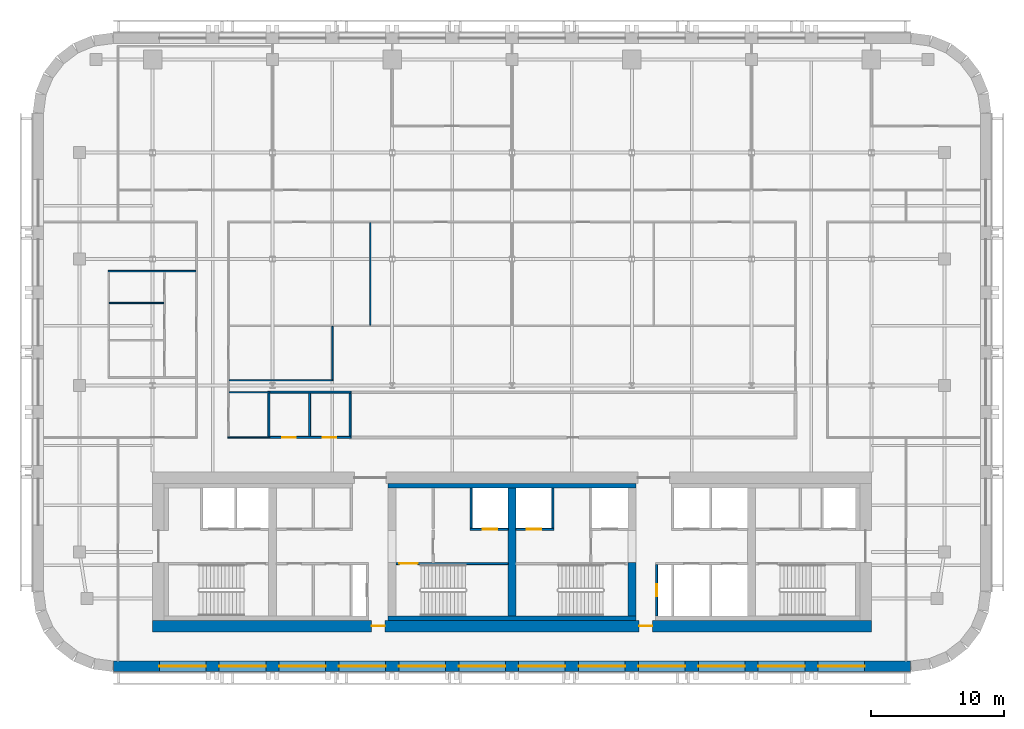
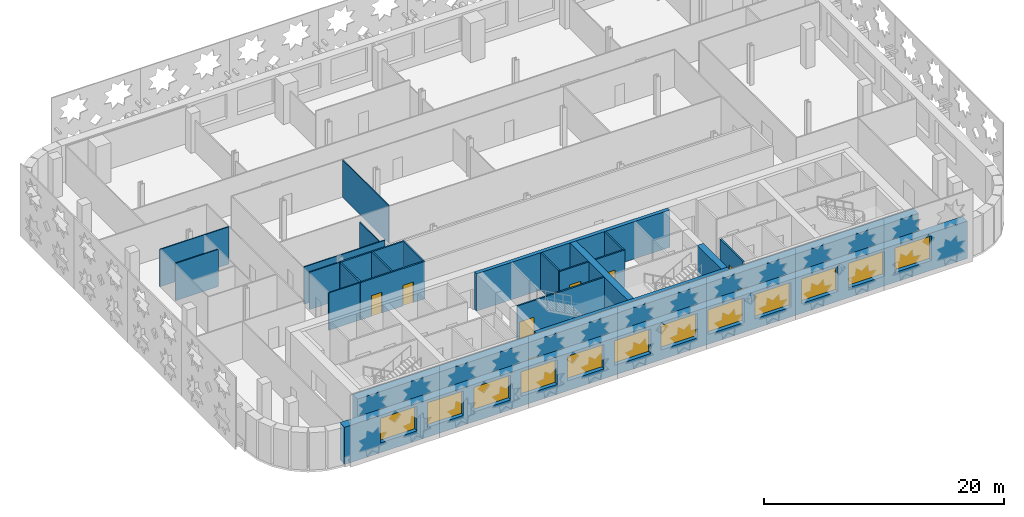
# One storey, part 4 of 12: 24 walls, 12 windows, 8 doors, 20 openings.
"""IFC4 building model written with IfcOpenShell, lengths in metres."""

import ifcopenshell
import ifcopenshell.guid

model = None  # the IFC model being written
_history = None  # IfcOwnerHistory: only IFC2X3 demands one
_inside = {}  # id of a spatial element -> (the spatial element, [elements in it])
_under = {}  # id of a project, library or spatial element -> (it, [spatial elements below it])
_declared = {}  # id of a project -> (the project, [libraries it declares])
_typed = {}  # id of a type object -> (the type object, [elements of that type])
_made_of = {}  # id of a material, layer set ... -> (it, [elements and type objects made of it])


def new_model(schema):
    """Start an empty IFC model of exactly this schema.

    Asked for "IFC4X3", IfcOpenShell would pick the latest addendum, in which some entities
    have other attributes; the version numbers below select the first issue.
    IFC2X3 requires an IfcOwnerHistory on every rooted entity: one is made here for all.
    """
    global model, _history
    if schema == "IFC4X3":
        model = ifcopenshell.file(schema_version=(4, 3, 0, 0))
    else:
        model = ifcopenshell.file(schema=schema)
    _inside.clear()
    _under.clear()
    _declared.clear()
    _typed.clear()
    _made_of.clear()
    _history = None
    if model.schema == "IFC2X3":
        org = make("IfcOrganization", Name="unknown")
        user = make(
            "IfcPersonAndOrganization",
            ThePerson=make("IfcPerson", FamilyName="unknown"),
            TheOrganization=org,
        )
        app = make(
            "IfcApplication",
            ApplicationDeveloper=org,
            Version="unknown",
            ApplicationFullName="unknown",
            ApplicationIdentifier="unknown",
        )
        _history = make(
            "IfcOwnerHistory",
            OwningUser=user,
            OwningApplication=app,
            ChangeAction="ADDED",
            CreationDate=0,
        )
    return model


def make(cls, **values):
    """One entity of the class cls with the attributes given. An attribute that is None is left unset."""
    return model.create_entity(
        cls, **{name: value for name, value in values.items() if value is not None}
    )


def rooted(cls, **values):
    """An entity with a GlobalId (a new one), such as an element, a storey or a relation."""
    return make(cls, GlobalId=ifcopenshell.guid.new(), OwnerHistory=_history, **values)


def si_unit(unit_type, name, prefix=None):
    """IfcSIUnit, for example si_unit("LENGTHUNIT", "METRE", prefix="MILLI")."""
    return make("IfcSIUnit", UnitType=unit_type, Prefix=prefix, Name=name)


def assignment(units):
    """IfcUnitAssignment: the units of a project."""
    return None if units is None else make("IfcUnitAssignment", Units=units)


def point(xyz):
    """IfcCartesianPoint."""
    return None if xyz is None else make("IfcCartesianPoint", Coordinates=xyz)


def direction(xyz):
    """IfcDirection."""
    return None if xyz is None else make("IfcDirection", DirectionRatios=xyz)


def frame(location, z_axis=None, x_axis=None):
    """IfcAxis2Placement3D, a coordinate frame: its origin and axes. An axis left out is left unset."""
    return make(
        "IfcAxis2Placement3D",
        Location=point(location),
        Axis=direction(z_axis),
        RefDirection=direction(x_axis),
    )


def frame_2d(location, x_axis=None):
    """IfcAxis2Placement2D, a coordinate frame in the plane: its origin and x axis."""
    return make(
        "IfcAxis2Placement2D", Location=point(location), RefDirection=direction(x_axis)
    )


def origin():
    """The frame at (0, 0, 0) with its axes left unset."""
    return frame((0.0, 0.0, 0.0))


def place(relative_to, where):
    """IfcLocalPlacement: puts the frame where relative to a parent placement (None: the world)."""
    return make(
        "IfcLocalPlacement", PlacementRelTo=relative_to, RelativePlacement=where
    )


def context(
    kind, dimensions, precision=None, world=None, true_north=None, identifier=None
):
    """IfcGeometricRepresentationContext, for example the 3D "Model" context."""
    return make(
        "IfcGeometricRepresentationContext",
        ContextIdentifier=identifier,
        ContextType=kind,
        CoordinateSpaceDimension=dimensions,
        Precision=precision,
        WorldCoordinateSystem=world,
        TrueNorth=true_north,
    )


def subcontext(parent, identifier, kind, view, scale=None):
    """IfcGeometricRepresentationSubContext, for example "Body" below "Model"."""
    return make(
        "IfcGeometricRepresentationSubContext",
        ContextIdentifier=identifier,
        ContextType=kind,
        ParentContext=parent,
        TargetScale=scale,
        TargetView=view,
    )


def project(units=None, contexts=None):
    """IfcProject with its units and contexts."""
    return rooted(
        "IfcProject",
        Name="project",
        RepresentationContexts=contexts,
        UnitsInContext=assignment(units),
    )


def spatial(cls, under=None, at=None, **own):
    """A site, building, storey or space (cls), placed at a placement, below another one or the project."""
    s = rooted(cls, ObjectPlacement=at, **own)
    if under is not None:
        _under.setdefault(under.id(), (under, []))[1].append(s)
    return s


def profile(cls, at=None, kind="AREA", **sizes):
    """A parametric profile (cls). Its sizes go by their IFC names, for example OverallWidth=200.0."""
    return make(cls, ProfileType=kind, Position=at, **sizes)


def rectangle(**sizes):
    """IfcRectangleProfileDef."""
    return profile("IfcRectangleProfileDef", **sizes)


def extrude(swept, where, along, depth):
    """IfcExtrudedAreaSolid: the profile swept, set in the frame where, extruded along a direction by depth."""
    return make(
        "IfcExtrudedAreaSolid",
        SweptArea=swept,
        Position=where,
        ExtrudedDirection=direction(along),
        Depth=depth,
    )


def shape(context_of_items, identifier, shape_type, items):
    """IfcShapeRepresentation: the items that make up one representation, for example the "Body"."""
    return make(
        "IfcShapeRepresentation",
        ContextOfItems=context_of_items,
        RepresentationIdentifier=identifier,
        RepresentationType=shape_type,
        Items=items,
    )


def material(Name=None, Category=None):
    """IfcMaterial."""
    return make("IfcMaterial", Name=Name, Category=Category)


def layer(
    of_material, thickness, ventilated=None, Name=None, Category=None, Priority=None
):
    """IfcMaterialLayer: one layer of a wall or slab, of a material (None: an air gap)."""
    return make(
        "IfcMaterialLayer",
        Material=of_material,
        LayerThickness=thickness,
        IsVentilated=ventilated,
        Name=Name,
        Category=Category,
        Priority=Priority,
    )


def layer_set(layers, Name=None):
    """IfcMaterialLayerSet."""
    return make("IfcMaterialLayerSet", MaterialLayers=layers, LayerSetName=Name)


def made_of(thing, what):
    """Note that an element or type object is made of a material, layer set ...; save() writes the relation."""
    if what is not None:
        _made_of.setdefault(what.id(), (what, []))[1].append(thing)
    return thing


def type_object(cls, material=None, **own):
    """A type object (cls), such as IfcWallType, which elements share."""
    return made_of(rooted(cls, **own), material)


def element(
    cls,
    number,
    at=None,
    inside=None,
    cuts=None,
    type_object=None,
    material=None,
    context=None,
    identifier="Body",
    shape_type=None,
    held_by="IfcProductDefinitionShape",
    body=None,
    shapes=None,
    **own,
):
    """One element of the class cls, such as IfcWall. Its Tag is "e" and its number.

    at: its placement. inside: the storey or other place that contains it. cuts: it is an
    opening in that element (IfcRelVoidsElement). A single representation is given by context,
    identifier, shape_type and body (its items); several are given by shapes. held_by: the class
    of the entity that holds the representations. save() writes the other relations.
    """
    e = rooted(cls, Tag="e%d" % number, ObjectPlacement=at, **own)
    if body is not None:
        shapes = [shape(context, identifier, shape_type, body)]
    if shapes is not None:
        e.Representation = make(held_by, Representations=shapes)
    if inside is not None:
        _inside.setdefault(inside.id(), (inside, []))[1].append(e)
    if cuts is not None:
        rooted(
            "IfcRelVoidsElement", RelatingBuildingElement=cuts, RelatedOpeningElement=e
        )
    if type_object is not None:
        _typed.setdefault(type_object.id(), (type_object, []))[1].append(e)
    return made_of(e, material)


def fill(opening, filler):
    """IfcRelFillsElement: the door or window that sits in an opening."""
    return rooted(
        "IfcRelFillsElement",
        RelatingOpeningElement=opening,
        RelatedBuildingElement=filler,
    )


def aggregate(whole, parts):
    """IfcRelAggregates: a whole, such as a stair, and the parts it consists of."""
    return rooted("IfcRelAggregates", RelatingObject=whole, RelatedObjects=parts)


def save(model, path):
    """Write the relations noted so far, then the file.

    IfcRelAggregates (storeys below a building ...), IfcRelContainedInSpatialStructure (elements
    in a storey), IfcRelDefinesByType, IfcRelAssociatesMaterial and IfcRelDeclares: one each for
    every whole, place, type object, material and project.
    """
    for whole, parts in _under.values():
        aggregate(whole, parts)
    for where, things in _inside.values():
        rooted(
            "IfcRelContainedInSpatialStructure",
            RelatedElements=things,
            RelatingStructure=where,
        )
    for kind, things in _typed.values():
        rooted("IfcRelDefinesByType", RelatedObjects=things, RelatingType=kind)
    for what, things in _made_of.values():
        rooted("IfcRelAssociatesMaterial", RelatedObjects=things, RelatingMaterial=what)
    for by, libraries in _declared.values():
        rooted("IfcRelDeclares", RelatingContext=by, RelatedDefinitions=libraries)
    model.write(path)


model = new_model("IFC4")

# Units and contexts
model_context = context("Model", 3, precision=1e-05, world=origin(), true_north=direction((0.0, 1.0)))
body_context = subcontext(model_context, "Body", "Model", "MODEL_VIEW")
ifc_project = project(units=[si_unit("LENGTHUNIT", "METRE"), si_unit("AREAUNIT", "SQUARE_METRE"), si_unit("VOLUMEUNIT", "CUBIC_METRE"), si_unit("PLANEANGLEUNIT", "RADIAN"), si_unit("MASSUNIT", "GRAM", prefix="KILO")], contexts=[model_context])

# Site, building, storey
site_placement = place(None, origin())
site = spatial("IfcSite", under=ifc_project, at=site_placement, CompositionType="ELEMENT")
building_placement = place(site_placement, origin())
building = spatial("IfcBuilding", under=site, at=building_placement, Name="Zellij Exchange Tower", CompositionType="ELEMENT")
storey_placement = place(building_placement, frame((0.0, 0.0, 180.5)))
storey = spatial("IfcBuildingStorey", under=building, at=storey_placement, Name="L41", CompositionType="ELEMENT", Elevation=180.5)

# Walls
ifc_material_1 = material(Name="Concrete C60/75", Category="concrete")
ifc_layer_1 = layer(ifc_material_1, 0.60009765625)
ifc_layer_set_1 = layer_set([ifc_layer_1], Name="Concrete C60/75")
wall_type_1 = type_object("IfcWallType", Name="CORE-CW 600 C60/75", PredefinedType="SHEAR", material=ifc_layer_set_1)
wall_1_placement = place(storey_placement, frame((0.0, -12.800048828125, 0.0), z_axis=(0.0, 0.0, 1.0), x_axis=(0.0, 1.0, 0.0)))
element("IfcWall", 1, at=wall_1_placement, inside=storey, type_object=wall_type_1, Name="Core cross wall x 0 L41", PredefinedType="SHEAR", context=body_context, shape_type="SweptSolid", body=[
    extrude(rectangle(XDim=9.60009765625, YDim=0.60009765625, at=frame_2d((4.800048828125, 0.0))), origin(), (0.0, 0.0, 1.0), 3.800048828125),
])
wall_2_placement = place(storey_placement, frame((9.0, -12.800048828125, 0.0), z_axis=(0.0, 0.0, 1.0), x_axis=(0.0, 1.0, 0.0)))
element("IfcWall", 2, at=wall_2_placement, inside=storey, type_object=wall_type_1, Name="Core cross wall pier x 9 a L41", PredefinedType="SHEAR", context=body_context, shape_type="SweptSolid", body=[
    extrude(rectangle(XDim=4.0, YDim=0.60009765625, at=frame_2d((2.0, 0.0))), origin(), (0.0, 0.0, 1.0), 3.800048828125),
])
ifc_material_2 = material(Name="Concrete C30/37", Category="concrete")
ifc_layer_2 = layer(ifc_material_2, 0.35009765625)
ifc_layer_set_2 = layer_set([ifc_layer_2], Name="Concrete C30/37")
wall_type_2 = type_object("IfcWallType", Name="CORE-LW 350 C30/37", PredefinedType="SHEAR", material=ifc_layer_set_2)
for number, where, z_axis, x_axis, name in (
    (3, (-9.300048828125, -3.02490234375, 0.0), (0.0, 0.0, 1.0), (1.0, 0.0, 0.0), "Core wall lining front.1 L41"),
    (4, (-9.300048828125, -12.97509765625, 0.0), (0.0, 0.0, 1.0), (1.0, 0.0, 0.0), "Core wall lining rear.1 L41"),
):
    element("IfcWall", number, at=place(storey_placement, frame(where, z_axis=z_axis, x_axis=x_axis)), inside=storey, type_object=wall_type_2, Name=name, PredefinedType="SHEAR", context=body_context, shape_type="SweptSolid", body=[
        extrude(rectangle(XDim=18.60009765625, YDim=0.35009765625, at=frame_2d((9.300048828125, 0.0))), origin(), (0.0, 0.0, 1.0), 3.800048828125),
    ])

# Wall, opening, door
ifc_material_3 = material(Name="Gypsum board partition")
ifc_layer_3 = layer(ifc_material_3, 0.14990234375)
ifc_layer_set_3 = layer_set([ifc_layer_3], Name="Gypsum board partition")
wall_type_3 = type_object("IfcWallType", Name="CORE-PW 150 Lift lobby wall", PredefinedType="PARTITIONING", material=ifc_layer_set_3)
wall_3_placement = place(storey_placement, frame((10.875, -12.800048828125, 0.0), z_axis=(0.0, 0.0, 1.0), x_axis=(0.0, 1.0, 0.0)))
wall_3 = element("IfcWall", 5, at=wall_3_placement, inside=storey, type_object=wall_type_3, Name="Lift lobby wall L41", PredefinedType="PARTITIONING", context=body_context, shape_type="SweptSolid", body=[
    extrude(rectangle(XDim=3.85009765625, YDim=0.14990234375, at=frame_2d((1.925048828125, 0.0))), origin(), (0.0, 0.0, 1.0), 3.800048828125),
])
opening_1_placement = place(wall_3_placement, frame((1.47509765625, 0.0, 0.0)))
opening_1 = element("IfcOpeningElement", 6, at=opening_1_placement, cuts=wall_3, Name="Opening CA-22.21", PredefinedType="OPENING", context=body_context, shape_type="SweptSolid", body=[
    extrude(rectangle(XDim=0.89990234375, YDim=2.10009765625, at=frame_2d((0.449951171875, 1.050048828125))), frame((0.0, 0.0869140625, 0.0), z_axis=(0.0, -1.0, 0.0), x_axis=(1.0, 0.0, 0.0)), (0.0, 0.0, 1.0), 0.173828125),
])
ifc_material_4 = material(Name="Hollow metal fire door")
door_type_1 = type_object("IfcDoorType", Name="CORE-D RD Riser door 900x2100 1.5 HR", OperationType="NOTDEFINED", PredefinedType="DOOR", material=ifc_material_4)
door_1_placement = place(opening_1_placement, origin())
door_1 = element("IfcDoor", 7, at=door_1_placement, inside=storey, type_object=door_type_1, Name="Riser door CA-22.21", OperationType="SINGLE_SWING_LEFT", OverallHeight=2.10009765625, OverallWidth=0.89990234375, PredefinedType="DOOR", context=body_context, shape_type="SweptSolid", body=[
    extrude(rectangle(XDim=0.89990234375, YDim=2.10009765625, at=frame_2d((0.449951171875, 1.050048828125))), frame((0.0, 0.02490234375, 0.0), z_axis=(0.0, -1.0, 0.0), x_axis=(1.0, 0.0, 0.0)), (0.0, 0.0, 1.0), 0.050048828125),
])
fill(opening_1, door_1)

# Walls
ifc_material_5 = material(Name="Gypsum shaft wall system")
ifc_layer_4 = layer(ifc_material_5, 0.14990234375)
ifc_layer_set_4 = layer_set([ifc_layer_4], Name="Gypsum shaft wall system")
wall_type_4 = type_object("IfcWallType", Name="CORE-PW 150 Lift shaft wall", PredefinedType="PARTITIONING", material=ifc_layer_set_4)
for number, where, z_axis, x_axis, name in (
    (8, (-3.074951171875, -6.22509765625, 0.0), (0.0, 0.0, 1.0), (0.0, 1.0, 0.0), "Lift shaft wall L41"),
    (9, (3.074951171875, -6.22509765625, 0.0), (0.0, 0.0, 1.0), (0.0, 1.0, 0.0), "Lift shaft wall L41"),
):
    element("IfcWall", number, at=place(storey_placement, frame(where, z_axis=z_axis, x_axis=x_axis)), inside=storey, type_object=wall_type_4, Name=name, PredefinedType="PARTITIONING", context=body_context, shape_type="SweptSolid", body=[
        extrude(rectangle(XDim=3.025146484375, YDim=0.14990234375, at=frame_2d((1.5126953125, 0.0))), origin(), (0.0, 0.0, 1.0), 3.800048828125),
    ])

# Wall, opening, door
wall_4_placement = place(storey_placement, frame((-3.14990234375, -6.300048828125, 0.0), z_axis=(0.0, 0.0, 1.0), x_axis=(1.0, 0.0, 0.0)))
wall_4 = element("IfcWall", 10, at=wall_4_placement, inside=storey, type_object=wall_type_4, Name="Lift shaft wall L41", PredefinedType="PARTITIONING", context=body_context, shape_type="SweptSolid", body=[
    extrude(rectangle(XDim=2.849853515625, YDim=0.14990234375, at=frame_2d((1.4248046875, 0.0))), origin(), (0.0, 0.0, 1.0), 3.800048828125),
])
opening_2_placement = place(wall_4_placement, frame((0.949951171875, 0.0, 0.0)))
opening_2 = element("IfcOpeningElement", 11, at=opening_2_placement, cuts=wall_4, Name="Opening CA-22.14", PredefinedType="OPENING", context=body_context, shape_type="SweptSolid", body=[
    extrude(rectangle(XDim=1.10009765625, YDim=2.10009765625, at=frame_2d((0.550048828125, 1.050048828125))), frame((0.0, 0.0869140625, 0.0), z_axis=(0.0, -1.0, 0.0), x_axis=(1.0, 0.0, 0.0)), (0.0, 0.0, 1.0), 0.173828125),
])
door_type_2 = type_object("IfcDoorType", Name="CORE-D LD Lift landing door 1100x2100 1.5 HR", OperationType="NOTDEFINED", PredefinedType="DOOR", material=ifc_material_4)
door_2_placement = place(opening_2_placement, origin())
door_2 = element("IfcDoor", 12, at=door_2_placement, inside=storey, type_object=door_type_2, Name="Lift landing door CA-22.14", OperationType="SLIDING_TO_RIGHT", OverallHeight=2.10009765625, OverallWidth=1.10009765625, PredefinedType="DOOR", context=body_context, shape_type="SweptSolid", body=[
    extrude(rectangle(XDim=1.10009765625, YDim=2.10009765625, at=frame_2d((0.550048828125, 1.050048828125))), frame((0.0, 0.02490234375, 0.0), z_axis=(0.0, -1.0, 0.0), x_axis=(1.0, 0.0, 0.0)), (0.0, 0.0, 1.0), 0.050048828125),
])
fill(opening_2, door_2)

wall_5_placement = place(storey_placement, frame((0.300048828125, -6.300048828125, 0.0), z_axis=(0.0, 0.0, 1.0), x_axis=(1.0, 0.0, 0.0)))
wall_5 = element("IfcWall", 13, at=wall_5_placement, inside=storey, type_object=wall_type_4, Name="Lift shaft wall L41", PredefinedType="PARTITIONING", context=body_context, shape_type="SweptSolid", body=[
    extrude(rectangle(XDim=2.849853515625, YDim=0.14990234375, at=frame_2d((1.4248046875, 0.0))), origin(), (0.0, 0.0, 1.0), 3.800048828125),
])
opening_3_placement = place(wall_5_placement, frame((0.800048828125, 0.0, 0.0)))
opening_3 = element("IfcOpeningElement", 14, at=opening_3_placement, cuts=wall_5, Name="Opening CA-22.15", PredefinedType="OPENING", context=body_context, shape_type="SweptSolid", body=[
    extrude(rectangle(XDim=1.10009765625, YDim=2.10009765625, at=frame_2d((0.550048828125, 1.050048828125))), frame((0.0, 0.0869140625, 0.0), z_axis=(0.0, -1.0, 0.0), x_axis=(1.0, 0.0, 0.0)), (0.0, 0.0, 1.0), 0.173828125),
])
door_3_placement = place(opening_3_placement, origin())
door_3 = element("IfcDoor", 15, at=door_3_placement, inside=storey, type_object=door_type_2, Name="Lift landing door CA-22.15", OperationType="SLIDING_TO_LEFT", OverallHeight=2.10009765625, OverallWidth=1.10009765625, PredefinedType="DOOR", context=body_context, shape_type="SweptSolid", body=[
    extrude(rectangle(XDim=1.10009765625, YDim=2.10009765625, at=frame_2d((0.550048828125, 1.050048828125))), frame((0.0, 0.02490234375, 0.0), z_axis=(0.0, -1.0, 0.0), x_axis=(1.0, 0.0, 0.0)), (0.0, 0.0, 1.0), 0.050048828125),
])
fill(opening_3, door_3)

# Wall, openings, doors
ifc_layer_5 = layer(ifc_material_1, 0.85009765625)
ifc_layer_set_5 = layer_set([ifc_layer_5], Name="Concrete C60/75")
wall_type_5 = type_object("IfcWallType", Name="CORE-SW 850 C60/75", PredefinedType="SHEAR", material=ifc_layer_set_5)
wall_6_placement = place(storey_placement, frame((-27.0, -13.574951171875, 0.0), z_axis=(0.0, 0.0, 1.0), x_axis=(1.0, 0.0, 0.0)))
wall_6 = element("IfcWall", 16, at=wall_6_placement, inside=storey, type_object=wall_type_5, Name="Core shear wall rear L41", PredefinedType="SHEAR", context=body_context, shape_type="SweptSolid", body=[
    extrude(rectangle(XDim=54.0, YDim=0.85009765625, at=frame_2d((27.0, 0.0))), origin(), (0.0, 0.0, 1.0), 3.800048828125),
])
opening_4_placement = place(wall_6_placement, frame((16.449951171875, 0.0, 0.0)))
opening_4 = element("IfcOpeningElement", 17, at=opening_4_placement, cuts=wall_6, Name="Opening CA-22.11", PredefinedType="OPENING", context=body_context, shape_type="SweptSolid", body=[
    extrude(rectangle(XDim=1.0, YDim=2.10009765625, at=frame_2d((0.5, 1.050048828125))), frame((0.0, 0.43701171875, 0.0), z_axis=(0.0, -1.0, 0.0), x_axis=(1.0, 0.0, 0.0)), (0.0, 0.0, 1.0), 0.8740234375),
])
opening_5_placement = place(wall_6_placement, frame((36.550048828125, 0.0, 0.0)))
opening_5 = element("IfcOpeningElement", 18, at=opening_5_placement, cuts=wall_6, Name="Opening CA-22.19", PredefinedType="OPENING", context=body_context, shape_type="SweptSolid", body=[
    extrude(rectangle(XDim=1.0, YDim=2.10009765625, at=frame_2d((0.5, 1.050048828125))), frame((0.0, 0.43701171875, 0.0), z_axis=(0.0, -1.0, 0.0), x_axis=(1.0, 0.0, 0.0)), (0.0, 0.0, 1.0), 0.8740234375),
])
door_type_3 = type_object("IfcDoorType", Name="CORE-D CR Core rear door 1000x2100 20 MIN", OperationType="NOTDEFINED", PredefinedType="DOOR", material=ifc_material_4)
door_4_placement = place(opening_4_placement, origin())
door_4 = element("IfcDoor", 19, at=door_4_placement, inside=storey, type_object=door_type_3, Name="Core rear door CA-22.11", OperationType="SINGLE_SWING_RIGHT", OverallHeight=2.10009765625, OverallWidth=1.0, PredefinedType="DOOR", context=body_context, shape_type="SweptSolid", body=[
    extrude(rectangle(XDim=1.0, YDim=2.10009765625, at=frame_2d((0.5, 1.050048828125))), frame((0.0, 0.02490234375, 0.0), z_axis=(0.0, -1.0, 0.0), x_axis=(1.0, 0.0, 0.0)), (0.0, 0.0, 1.0), 0.050048828125),
])
fill(opening_4, door_4)
door_5_placement = place(opening_5_placement, origin())
door_5 = element("IfcDoor", 20, at=door_5_placement, inside=storey, type_object=door_type_3, Name="Core rear door CA-22.19", OperationType="SINGLE_SWING_LEFT", OverallHeight=2.10009765625, OverallWidth=1.0, PredefinedType="DOOR", context=body_context, shape_type="SweptSolid", body=[
    extrude(rectangle(XDim=1.0, YDim=2.10009765625, at=frame_2d((0.5, 1.050048828125))), frame((0.0, 0.02490234375, 0.0), z_axis=(0.0, -1.0, 0.0), x_axis=(1.0, 0.0, 0.0)), (0.0, 0.0, 1.0), 0.050048828125),
])
fill(opening_5, door_5)

# Wall, opening, door
ifc_layer_6 = layer(ifc_material_1, 0.14990234375)
ifc_layer_set_6 = layer_set([ifc_layer_6], Name="Concrete C60/75")
wall_type_6 = type_object("IfcWallType", Name="CORE-SWS 150 C60/75", PredefinedType="SHEAR", material=ifc_layer_set_6)
wall_7_placement = place(storey_placement, frame((-8.699951171875, -8.875, 0.0), z_axis=(0.0, 0.0, 1.0), x_axis=(1.0, 0.0, 0.0)))
wall_7 = element("IfcWall", 21, at=wall_7_placement, inside=storey, type_object=wall_type_6, Name="Stair enclosure wall L41", PredefinedType="SHEAR", context=body_context, shape_type="SweptSolid", body=[
    extrude(rectangle(XDim=8.39990234375, YDim=0.14990234375, at=frame_2d((4.199951171875, 0.0))), origin(), (0.0, 0.0, 1.0), 3.800048828125),
])
opening_6_placement = place(wall_7_placement, frame((0.22509765625, 0.0, 0.0)))
opening_6 = element("IfcOpeningElement", 22, at=opening_6_placement, cuts=wall_7, Name="Opening CA-22.12", PredefinedType="OPENING", context=body_context, shape_type="SweptSolid", body=[
    extrude(rectangle(XDim=1.39990234375, YDim=2.10009765625, at=frame_2d((0.699951171875, 1.050048828125))), frame((0.0, 0.0869140625, 0.0), z_axis=(0.0, -1.0, 0.0), x_axis=(1.0, 0.0, 0.0)), (0.0, 0.0, 1.0), 0.173828125),
])
door_type_4 = type_object("IfcDoorType", Name="CORE-D SD Stair door 1400x2100 1.5 HR", OperationType="NOTDEFINED", PredefinedType="DOOR", material=ifc_material_4)
door_6_placement = place(opening_6_placement, origin())
door_6 = element("IfcDoor", 23, at=door_6_placement, inside=storey, type_object=door_type_4, Name="Stair door CA-22.12", OperationType="DOUBLE_DOOR_SINGLE_SWING", OverallHeight=2.10009765625, OverallWidth=1.39990234375, PredefinedType="DOOR", context=body_context, shape_type="SweptSolid", body=[
    extrude(rectangle(XDim=1.39990234375, YDim=2.10009765625, at=frame_2d((0.699951171875, 1.050048828125))), frame((0.0, 0.02490234375, 0.0), z_axis=(0.0, -1.0, 0.0), x_axis=(1.0, 0.0, 0.0)), (0.0, 0.0, 1.0), 0.050048828125),
])
fill(opening_6, door_6)

# Wall, openings, windows
ifc_material_6 = material(Name="Precast concrete C40/50", Category="concrete")
ifc_layer_7 = layer(ifc_material_6, 0.800048828125)
ifc_layer_set_7 = layer_set([ifc_layer_7], Name="Precast concrete C40/50")
wall_type_7 = type_object("IfcWallType", Name="ENV-EW1 Precast stone-piered wall 800", PredefinedType="SOLIDWALL", material=ifc_layer_set_7)
wall_8_placement = place(storey_placement, frame((-29.947509765625, -16.60009765625, 0.0), z_axis=(0.0, 0.0, 1.0), x_axis=(1.0, 0.0, 0.0)))
wall_8 = element("IfcWall", 24, at=wall_8_placement, inside=storey, type_object=wall_type_7, Name="fac.L41.00", PredefinedType="SOLIDWALL", context=body_context, shape_type="SweptSolid", body=[
    extrude(rectangle(XDim=59.89501953125, YDim=0.800048828125, at=frame_2d((29.947509765625, 0.0))), origin(), (0.0, 0.0, 1.0), 3.800048828125),
])
opening_7_placement = place(wall_8_placement, frame((3.447509765625, 0.0, 1.0)))
opening_7 = element("IfcOpeningElement", 25, at=opening_7_placement, cuts=wall_8, Name="Opening FZ3.01", PredefinedType="OPENING", context=body_context, shape_type="SweptSolid", body=[
    extrude(rectangle(XDim=3.5, YDim=2.5, at=frame_2d((1.75, 1.25))), frame((0.0, 0.412109375, 0.0), z_axis=(0.0, -1.0, 0.0), x_axis=(1.0, 0.0, 0.0)), (0.0, 0.0, 1.0), 0.823974609375),
])
opening_8_placement = place(wall_8_placement, frame((7.947509765625, 0.0, 1.0)))
opening_8 = element("IfcOpeningElement", 26, at=opening_8_placement, cuts=wall_8, Name="Opening FZ3.02", PredefinedType="OPENING", context=body_context, shape_type="SweptSolid", body=[
    extrude(rectangle(XDim=3.5, YDim=2.5, at=frame_2d((1.75, 1.25))), frame((0.0, 0.412109375, 0.0), z_axis=(0.0, -1.0, 0.0), x_axis=(1.0, 0.0, 0.0)), (0.0, 0.0, 1.0), 0.823974609375),
])
opening_9_placement = place(wall_8_placement, frame((12.447509765625, 0.0, 1.0)))
opening_9 = element("IfcOpeningElement", 27, at=opening_9_placement, cuts=wall_8, Name="Opening FZ3.03", PredefinedType="OPENING", context=body_context, shape_type="SweptSolid", body=[
    extrude(rectangle(XDim=3.5, YDim=2.5, at=frame_2d((1.75, 1.25))), frame((0.0, 0.412109375, 0.0), z_axis=(0.0, -1.0, 0.0), x_axis=(1.0, 0.0, 0.0)), (0.0, 0.0, 1.0), 0.823974609375),
])
opening_10_placement = place(wall_8_placement, frame((16.947509765625, 0.0, 1.0)))
opening_10 = element("IfcOpeningElement", 28, at=opening_10_placement, cuts=wall_8, Name="Opening FZ3.04", PredefinedType="OPENING", context=body_context, shape_type="SweptSolid", body=[
    extrude(rectangle(XDim=3.5, YDim=2.5, at=frame_2d((1.75, 1.25))), frame((0.0, 0.412109375, 0.0), z_axis=(0.0, -1.0, 0.0), x_axis=(1.0, 0.0, 0.0)), (0.0, 0.0, 1.0), 0.823974609375),
])
opening_11_placement = place(wall_8_placement, frame((21.447509765625, 0.0, 1.0)))
opening_11 = element("IfcOpeningElement", 29, at=opening_11_placement, cuts=wall_8, Name="Opening FZ3.05", PredefinedType="OPENING", context=body_context, shape_type="SweptSolid", body=[
    extrude(rectangle(XDim=3.5, YDim=2.5, at=frame_2d((1.75, 1.25))), frame((0.0, 0.412109375, 0.0), z_axis=(0.0, -1.0, 0.0), x_axis=(1.0, 0.0, 0.0)), (0.0, 0.0, 1.0), 0.823974609375),
])
opening_12_placement = place(wall_8_placement, frame((25.947509765625, 0.0, 1.0)))
opening_12 = element("IfcOpeningElement", 30, at=opening_12_placement, cuts=wall_8, Name="Opening FZ3.06", PredefinedType="OPENING", context=body_context, shape_type="SweptSolid", body=[
    extrude(rectangle(XDim=3.5, YDim=2.5, at=frame_2d((1.75, 1.25))), frame((0.0, 0.412109375, 0.0), z_axis=(0.0, -1.0, 0.0), x_axis=(1.0, 0.0, 0.0)), (0.0, 0.0, 1.0), 0.823974609375),
])
opening_13_placement = place(wall_8_placement, frame((30.447509765625, 0.0, 1.0)))
opening_13 = element("IfcOpeningElement", 31, at=opening_13_placement, cuts=wall_8, Name="Opening FZ3.07", PredefinedType="OPENING", context=body_context, shape_type="SweptSolid", body=[
    extrude(rectangle(XDim=3.5, YDim=2.5, at=frame_2d((1.75, 1.25))), frame((0.0, 0.412109375, 0.0), z_axis=(0.0, -1.0, 0.0), x_axis=(1.0, 0.0, 0.0)), (0.0, 0.0, 1.0), 0.823974609375),
])
opening_14_placement = place(wall_8_placement, frame((34.947509765625, 0.0, 1.0)))
opening_14 = element("IfcOpeningElement", 32, at=opening_14_placement, cuts=wall_8, Name="Opening FZ3.08", PredefinedType="OPENING", context=body_context, shape_type="SweptSolid", body=[
    extrude(rectangle(XDim=3.5, YDim=2.5, at=frame_2d((1.75, 1.25))), frame((0.0, 0.412109375, 0.0), z_axis=(0.0, -1.0, 0.0), x_axis=(1.0, 0.0, 0.0)), (0.0, 0.0, 1.0), 0.823974609375),
])
opening_15_placement = place(wall_8_placement, frame((39.447509765625, 0.0, 1.0)))
opening_15 = element("IfcOpeningElement", 33, at=opening_15_placement, cuts=wall_8, Name="Opening FZ3.09", PredefinedType="OPENING", context=body_context, shape_type="SweptSolid", body=[
    extrude(rectangle(XDim=3.5, YDim=2.5, at=frame_2d((1.75, 1.25))), frame((0.0, 0.412109375, 0.0), z_axis=(0.0, -1.0, 0.0), x_axis=(1.0, 0.0, 0.0)), (0.0, 0.0, 1.0), 0.823974609375),
])
opening_16_placement = place(wall_8_placement, frame((43.947509765625, 0.0, 1.0)))
opening_16 = element("IfcOpeningElement", 34, at=opening_16_placement, cuts=wall_8, Name="Opening FZ3.10", PredefinedType="OPENING", context=body_context, shape_type="SweptSolid", body=[
    extrude(rectangle(XDim=3.5, YDim=2.5, at=frame_2d((1.75, 1.25))), frame((0.0, 0.412109375, 0.0), z_axis=(0.0, -1.0, 0.0), x_axis=(1.0, 0.0, 0.0)), (0.0, 0.0, 1.0), 0.823974609375),
])
opening_17_placement = place(wall_8_placement, frame((48.447509765625, 0.0, 1.0)))
opening_17 = element("IfcOpeningElement", 35, at=opening_17_placement, cuts=wall_8, Name="Opening FZ3.11", PredefinedType="OPENING", context=body_context, shape_type="SweptSolid", body=[
    extrude(rectangle(XDim=3.5, YDim=2.5, at=frame_2d((1.75, 1.25))), frame((0.0, 0.412109375, 0.0), z_axis=(0.0, -1.0, 0.0), x_axis=(1.0, 0.0, 0.0)), (0.0, 0.0, 1.0), 0.823974609375),
])
opening_18_placement = place(wall_8_placement, frame((52.947509765625, 0.0, 1.0)))
opening_18 = element("IfcOpeningElement", 36, at=opening_18_placement, cuts=wall_8, Name="Opening FZ3.12", PredefinedType="OPENING", context=body_context, shape_type="SweptSolid", body=[
    extrude(rectangle(XDim=3.5, YDim=2.5, at=frame_2d((1.75, 1.25))), frame((0.0, 0.412109375, 0.0), z_axis=(0.0, -1.0, 0.0), x_axis=(1.0, 0.0, 0.0)), (0.0, 0.0, 1.0), 0.823974609375),
])
ifc_material_7 = material(Name="Aluminium frame with insulating glass", Category="aluminium")
window_type = type_object("IfcWindowType", Name="ENV-W1 Window 3500x2500", PartitioningType="SINGLE_PANEL", PredefinedType="WINDOW", material=ifc_material_7)
window_1_placement = place(opening_7_placement, origin())
window_1 = element("IfcWindow", 37, at=window_1_placement, inside=storey, type_object=window_type, Name="Window FZ3.01", OverallHeight=2.5, OverallWidth=3.5, PartitioningType="SINGLE_PANEL", PredefinedType="WINDOW", context=body_context, shape_type="SweptSolid", body=[
    extrude(rectangle(XDim=3.5, YDim=2.5, at=frame_2d((1.75, 1.25))), frame((0.0, 0.030029296875, 0.0), z_axis=(0.0, -1.0, 0.0), x_axis=(1.0, 0.0, 0.0)), (0.0, 0.0, 1.0), 0.06005859375),
])
fill(opening_7, window_1)
window_2_placement = place(opening_8_placement, origin())
window_2 = element("IfcWindow", 38, at=window_2_placement, inside=storey, type_object=window_type, Name="Window FZ3.02", OverallHeight=2.5, OverallWidth=3.5, PartitioningType="SINGLE_PANEL", PredefinedType="WINDOW", context=body_context, shape_type="SweptSolid", body=[
    extrude(rectangle(XDim=3.5, YDim=2.5, at=frame_2d((1.75, 1.25))), frame((0.0, 0.030029296875, 0.0), z_axis=(0.0, -1.0, 0.0), x_axis=(1.0, 0.0, 0.0)), (0.0, 0.0, 1.0), 0.06005859375),
])
fill(opening_8, window_2)
window_3_placement = place(opening_9_placement, origin())
window_3 = element("IfcWindow", 39, at=window_3_placement, inside=storey, type_object=window_type, Name="Window FZ3.03", OverallHeight=2.5, OverallWidth=3.5, PartitioningType="SINGLE_PANEL", PredefinedType="WINDOW", context=body_context, shape_type="SweptSolid", body=[
    extrude(rectangle(XDim=3.5, YDim=2.5, at=frame_2d((1.75, 1.25))), frame((0.0, 0.030029296875, 0.0), z_axis=(0.0, -1.0, 0.0), x_axis=(1.0, 0.0, 0.0)), (0.0, 0.0, 1.0), 0.06005859375),
])
fill(opening_9, window_3)
window_4_placement = place(opening_10_placement, origin())
window_4 = element("IfcWindow", 40, at=window_4_placement, inside=storey, type_object=window_type, Name="Window FZ3.04", OverallHeight=2.5, OverallWidth=3.5, PartitioningType="SINGLE_PANEL", PredefinedType="WINDOW", context=body_context, shape_type="SweptSolid", body=[
    extrude(rectangle(XDim=3.5, YDim=2.5, at=frame_2d((1.75, 1.25))), frame((0.0, 0.030029296875, 0.0), z_axis=(0.0, -1.0, 0.0), x_axis=(1.0, 0.0, 0.0)), (0.0, 0.0, 1.0), 0.06005859375),
])
fill(opening_10, window_4)
window_5_placement = place(opening_11_placement, origin())
window_5 = element("IfcWindow", 41, at=window_5_placement, inside=storey, type_object=window_type, Name="Window FZ3.05", OverallHeight=2.5, OverallWidth=3.5, PartitioningType="SINGLE_PANEL", PredefinedType="WINDOW", context=body_context, shape_type="SweptSolid", body=[
    extrude(rectangle(XDim=3.5, YDim=2.5, at=frame_2d((1.75, 1.25))), frame((0.0, 0.030029296875, 0.0), z_axis=(0.0, -1.0, 0.0), x_axis=(1.0, 0.0, 0.0)), (0.0, 0.0, 1.0), 0.06005859375),
])
fill(opening_11, window_5)
window_6_placement = place(opening_12_placement, origin())
window_6 = element("IfcWindow", 42, at=window_6_placement, inside=storey, type_object=window_type, Name="Window FZ3.06", OverallHeight=2.5, OverallWidth=3.5, PartitioningType="SINGLE_PANEL", PredefinedType="WINDOW", context=body_context, shape_type="SweptSolid", body=[
    extrude(rectangle(XDim=3.5, YDim=2.5, at=frame_2d((1.75, 1.25))), frame((0.0, 0.030029296875, 0.0), z_axis=(0.0, -1.0, 0.0), x_axis=(1.0, 0.0, 0.0)), (0.0, 0.0, 1.0), 0.06005859375),
])
fill(opening_12, window_6)
window_7_placement = place(opening_13_placement, origin())
window_7 = element("IfcWindow", 43, at=window_7_placement, inside=storey, type_object=window_type, Name="Window FZ3.07", OverallHeight=2.5, OverallWidth=3.5, PartitioningType="SINGLE_PANEL", PredefinedType="WINDOW", context=body_context, shape_type="SweptSolid", body=[
    extrude(rectangle(XDim=3.5, YDim=2.5, at=frame_2d((1.75, 1.25))), frame((0.0, 0.030029296875, 0.0), z_axis=(0.0, -1.0, 0.0), x_axis=(1.0, 0.0, 0.0)), (0.0, 0.0, 1.0), 0.06005859375),
])
fill(opening_13, window_7)
window_8_placement = place(opening_14_placement, origin())
window_8 = element("IfcWindow", 44, at=window_8_placement, inside=storey, type_object=window_type, Name="Window FZ3.08", OverallHeight=2.5, OverallWidth=3.5, PartitioningType="SINGLE_PANEL", PredefinedType="WINDOW", context=body_context, shape_type="SweptSolid", body=[
    extrude(rectangle(XDim=3.5, YDim=2.5, at=frame_2d((1.75, 1.25))), frame((0.0, 0.030029296875, 0.0), z_axis=(0.0, -1.0, 0.0), x_axis=(1.0, 0.0, 0.0)), (0.0, 0.0, 1.0), 0.06005859375),
])
fill(opening_14, window_8)
window_9_placement = place(opening_15_placement, origin())
window_9 = element("IfcWindow", 45, at=window_9_placement, inside=storey, type_object=window_type, Name="Window FZ3.09", OverallHeight=2.5, OverallWidth=3.5, PartitioningType="SINGLE_PANEL", PredefinedType="WINDOW", context=body_context, shape_type="SweptSolid", body=[
    extrude(rectangle(XDim=3.5, YDim=2.5, at=frame_2d((1.75, 1.25))), frame((0.0, 0.030029296875, 0.0), z_axis=(0.0, -1.0, 0.0), x_axis=(1.0, 0.0, 0.0)), (0.0, 0.0, 1.0), 0.06005859375),
])
fill(opening_15, window_9)
window_10_placement = place(opening_16_placement, origin())
window_10 = element("IfcWindow", 46, at=window_10_placement, inside=storey, type_object=window_type, Name="Window FZ3.10", OverallHeight=2.5, OverallWidth=3.5, PartitioningType="SINGLE_PANEL", PredefinedType="WINDOW", context=body_context, shape_type="SweptSolid", body=[
    extrude(rectangle(XDim=3.5, YDim=2.5, at=frame_2d((1.75, 1.25))), frame((0.0, 0.030029296875, 0.0), z_axis=(0.0, -1.0, 0.0), x_axis=(1.0, 0.0, 0.0)), (0.0, 0.0, 1.0), 0.06005859375),
])
fill(opening_16, window_10)
window_11_placement = place(opening_17_placement, origin())
window_11 = element("IfcWindow", 47, at=window_11_placement, inside=storey, type_object=window_type, Name="Window FZ3.11", OverallHeight=2.5, OverallWidth=3.5, PartitioningType="SINGLE_PANEL", PredefinedType="WINDOW", context=body_context, shape_type="SweptSolid", body=[
    extrude(rectangle(XDim=3.5, YDim=2.5, at=frame_2d((1.75, 1.25))), frame((0.0, 0.030029296875, 0.0), z_axis=(0.0, -1.0, 0.0), x_axis=(1.0, 0.0, 0.0)), (0.0, 0.0, 1.0), 0.06005859375),
])
fill(opening_17, window_11)
window_12_placement = place(opening_18_placement, origin())
window_12 = element("IfcWindow", 48, at=window_12_placement, inside=storey, type_object=window_type, Name="Window FZ3.12", OverallHeight=2.5, OverallWidth=3.5, PartitioningType="SINGLE_PANEL", PredefinedType="WINDOW", context=body_context, shape_type="SweptSolid", body=[
    extrude(rectangle(XDim=3.5, YDim=2.5, at=frame_2d((1.75, 1.25))), frame((0.0, 0.030029296875, 0.0), z_axis=(0.0, -1.0, 0.0), x_axis=(1.0, 0.0, 0.0)), (0.0, 0.0, 1.0), 0.06005859375),
])
fill(opening_18, window_12)

# Walls
ifc_material_8 = material(Name="Gypsum board partition on steel studs", Category="steel")
ifc_layer_8 = layer(ifc_material_8, 0.10009765625)
ifc_layer_set_8 = layer_set([ifc_layer_8], Name="Gypsum board partition on steel studs")
wall_type_8 = type_object("IfcWallType", Name="FIT-PARTITION-100", PredefinedType="PARTITIONING", material=ifc_layer_set_8)
wall_9_placement = place(storey_placement, frame((-21.35009765625, 0.60009765625, 0.0), z_axis=(0.0, 0.0, 1.0), x_axis=(1.0, 0.0, 0.0)))
element("IfcWall", 49, at=wall_9_placement, inside=storey, type_object=wall_type_8, Name="FIT-PARTITION-100 005", PredefinedType="PARTITIONING", context=body_context, shape_type="SweptSolid", body=[
    extrude(rectangle(XDim=3.1650390625, YDim=0.10009765625, at=frame_2d((1.58251953125, 0.0))), origin(), (0.0, 0.0, 1.0), 3.800048828125),
])
wall_10_placement = place(storey_placement, frame((-21.25, 4.0, 0.0), z_axis=(0.0, 0.0, 1.0), x_axis=(1.0, 0.0, 0.0)))
element("IfcWall", 50, at=wall_10_placement, inside=storey, type_object=wall_type_8, Name="FIT-PARTITION-100 015", PredefinedType="PARTITIONING", context=body_context, shape_type="SweptSolid", body=[
    extrude(rectangle(XDim=3.06494140625, YDim=0.10009765625, at=frame_2d((1.532470703125, 0.0))), origin(), (0.0, 0.0, 1.0), 3.800048828125),
])
wall_11_placement = place(storey_placement, frame((-21.25, 4.89990234375, 0.0), z_axis=(0.0, 0.0, 1.0), x_axis=(1.0, 0.0, 0.0)))
element("IfcWall", 51, at=wall_11_placement, inside=storey, type_object=wall_type_8, Name="FIT-PARTITION-100 019", PredefinedType="PARTITIONING", context=body_context, shape_type="SweptSolid", body=[
    extrude(rectangle(XDim=7.800048828125, YDim=0.10009765625, at=frame_2d((3.89990234375, 0.0))), origin(), (0.0, 0.0, 1.0), 3.800048828125),
])
wall_12_placement = place(storey_placement, frame((-13.5, 4.949951171875, 0.0), z_axis=(0.0, 0.0, 1.0), x_axis=(0.0, 1.0, 0.0)))
element("IfcWall", 52, at=wall_12_placement, inside=storey, type_object=wall_type_8, Name="FIT-PARTITION-100 020", PredefinedType="PARTITIONING", context=body_context, shape_type="SweptSolid", body=[
    extrude(rectangle(XDim=4.0, YDim=0.10009765625, at=frame_2d((2.0, 0.0))), origin(), (0.0, 0.0, 1.0), 3.200439453125),
])
wall_13_placement = place(storey_placement, frame((-10.64990234375, 9.050048828125, 0.0), z_axis=(0.0, 0.0, 1.0), x_axis=(0.0, 1.0, 0.0)))
element("IfcWall", 53, at=wall_13_placement, inside=storey, type_object=wall_type_8, Name="FIT-PARTITION-100 026", PredefinedType="PARTITIONING", context=body_context, shape_type="SweptSolid", body=[
    extrude(rectangle(XDim=7.699951171875, YDim=0.10009765625, at=frame_2d((3.85009765625, 0.0))), origin(), (0.0, 0.0, 1.0), 3.800048828125),
])
wall_14_placement = place(storey_placement, frame((-30.25, 10.699951171875, 0.0), z_axis=(0.0, 0.0, 1.0), x_axis=(1.0, 0.0, 0.0)))
element("IfcWall", 54, at=wall_14_placement, inside=storey, type_object=wall_type_8, Name="FIT-PARTITION-100 030", PredefinedType="PARTITIONING", context=body_context, shape_type="SweptSolid", body=[
    extrude(rectangle(XDim=4.10009765625, YDim=0.10009765625, at=frame_2d((2.050048828125, 0.0))), origin(), (0.0, 0.0, 1.0), 3.800048828125),
])
wall_15_placement = place(storey_placement, frame((-30.35009765625, 13.10009765625, 0.0), z_axis=(0.0, 0.0, 1.0), x_axis=(1.0, 0.0, 0.0)))
element("IfcWall", 55, at=wall_15_placement, inside=storey, type_object=wall_type_8, Name="FIT-PARTITION-100 031", PredefinedType="PARTITIONING", context=body_context, shape_type="SweptSolid", body=[
    extrude(rectangle(XDim=6.60009765625, YDim=0.10009765625, at=frame_2d((3.300048828125, 0.0))), origin(), (0.0, 0.0, 1.0), 3.800048828125),
])

# Wall, openings, doors
ifc_material_9 = material(Name="Gypsum board shaft-wall partition", Category="gypsum")
ifc_layer_9 = layer(ifc_material_9, 0.14990234375)
ifc_layer_set_9 = layer_set([ifc_layer_9], Name="Gypsum board shaft-wall partition")
wall_type_9 = type_object("IfcWallType", Name="FIT-PARTITION-150-EI60", PredefinedType="PARTITIONING", material=ifc_layer_set_9)
wall_16_placement = place(storey_placement, frame((-18.3349609375, 0.60009765625, 0.0), z_axis=(0.0, 0.0, 1.0), x_axis=(1.0, 0.0, 0.0)))
wall_16 = element("IfcWall", 56, at=wall_16_placement, inside=storey, type_object=wall_type_9, Name="FIT-PARTITION-150-EI60 007", PredefinedType="PARTITIONING", context=body_context, shape_type="SweptSolid", body=[
    extrude(rectangle(XDim=6.239990234375, YDim=0.14990234375, at=frame_2d((3.1201171875, 0.0))), origin(), (0.0, 0.0, 1.0), 3.800048828125),
])
opening_19_placement = place(wall_16_placement, frame((1.077880859375, 0.0, 0.0)))
opening_19 = element("IfcOpeningElement", 57, at=opening_19_placement, cuts=wall_16, Name="Opening O3B.04", PredefinedType="OPENING", context=body_context, shape_type="SweptSolid", body=[
    extrude(rectangle(XDim=1.0, YDim=2.10009765625, at=frame_2d((0.5, 1.050048828125))), frame((0.0, 0.0869140625, 0.0), z_axis=(0.0, -1.0, 0.0), x_axis=(1.0, 0.0, 0.0)), (0.0, 0.0, 1.0), 0.173828125),
])
opening_20_placement = place(wall_16_placement, frame((4.12109375, 0.0, 0.0)))
opening_20 = element("IfcOpeningElement", 58, at=opening_20_placement, cuts=wall_16, Name="Opening O3B.05", PredefinedType="OPENING", context=body_context, shape_type="SweptSolid", body=[
    extrude(rectangle(XDim=1.0, YDim=2.10009765625, at=frame_2d((0.5, 1.050048828125))), frame((0.0, 0.0869140625, 0.0), z_axis=(0.0, -1.0, 0.0), x_axis=(1.0, 0.0, 0.0)), (0.0, 0.0, 1.0), 0.173828125),
])
ifc_material_10 = material(Name="Steel fire door set", Category="steel")
door_type_5 = type_object("IfcDoorType", Name="FIT-D4-FIRE-1000X2100", OperationType="SINGLE_SWING_LEFT", PredefinedType="DOOR", material=ifc_material_10)
door_7_placement = place(opening_19_placement, origin())
door_7 = element("IfcDoor", 59, at=door_7_placement, inside=storey, type_object=door_type_5, Name="Door O3B.04", OperationType="SINGLE_SWING_LEFT", OverallHeight=2.10009765625, OverallWidth=1.0, PredefinedType="DOOR", context=body_context, shape_type="SweptSolid", body=[
    extrude(rectangle(XDim=1.0, YDim=2.10009765625, at=frame_2d((0.5, 1.050048828125))), frame((0.0, 0.02490234375, 0.0), z_axis=(0.0, -1.0, 0.0), x_axis=(1.0, 0.0, 0.0)), (0.0, 0.0, 1.0), 0.050048828125),
])
fill(opening_19, door_7)
door_8_placement = place(opening_20_placement, origin())
door_8 = element("IfcDoor", 60, at=door_8_placement, inside=storey, type_object=door_type_5, Name="Door O3B.05", OperationType="SINGLE_SWING_LEFT", OverallHeight=2.10009765625, OverallWidth=1.0, PredefinedType="DOOR", context=body_context, shape_type="SweptSolid", body=[
    extrude(rectangle(XDim=1.0, YDim=2.10009765625, at=frame_2d((0.5, 1.050048828125))), frame((0.0, 0.02490234375, 0.0), z_axis=(0.0, -1.0, 0.0), x_axis=(1.0, 0.0, 0.0)), (0.0, 0.0, 1.0), 0.050048828125),
])
fill(opening_20, door_8)

# Walls
for number, where, z_axis, x_axis, name in (
    (61, (-18.260009765625, 0.675048828125, 0.0), (0.0, 0.0, 1.0), (0.0, 1.0, 0.0), "FIT-PARTITION-150-EI60 008"),
    (62, (-15.2099609375, 0.675048828125, 0.0), (0.0, 0.0, 1.0), (0.0, 1.0, 0.0), "FIT-PARTITION-150-EI60 009"),
):
    element("IfcWall", number, at=place(storey_placement, frame(where, z_axis=z_axis, x_axis=x_axis)), inside=storey, type_object=wall_type_9, Name=name, PredefinedType="PARTITIONING", context=body_context, shape_type="SweptSolid", body=[
        extrude(rectangle(XDim=3.25, YDim=0.14990234375, at=frame_2d((1.625, 0.0))), origin(), (0.0, 0.0, 1.0), 3.800048828125),
    ])
wall_17_placement = place(storey_placement, frame((-12.169921875, 0.699951171875, 0.0), z_axis=(0.0, 0.0, 1.0), x_axis=(0.0, 1.0, 0.0)))
element("IfcWall", 63, at=wall_17_placement, inside=storey, type_object=wall_type_9, Name="FIT-PARTITION-150-EI60 011", PredefinedType="PARTITIONING", context=body_context, shape_type="SweptSolid", body=[
    extrude(rectangle(XDim=3.199951171875, YDim=0.14990234375, at=frame_2d((1.60009765625, 0.0))), origin(), (0.0, 0.0, 1.0), 3.800048828125),
])
wall_18_placement = place(storey_placement, frame((-18.3349609375, 4.0, 0.0), z_axis=(0.0, 0.0, 1.0), x_axis=(1.0, 0.0, 0.0)))
element("IfcWall", 64, at=wall_18_placement, inside=storey, type_object=wall_type_9, Name="FIT-PARTITION-150-EI60 016", PredefinedType="PARTITIONING", context=body_context, shape_type="SweptSolid", body=[
    extrude(rectangle(XDim=6.239990234375, YDim=0.14990234375, at=frame_2d((3.1201171875, 0.0))), origin(), (0.0, 0.0, 1.0), 3.800048828125),
])

save(model, "model.ifc")
